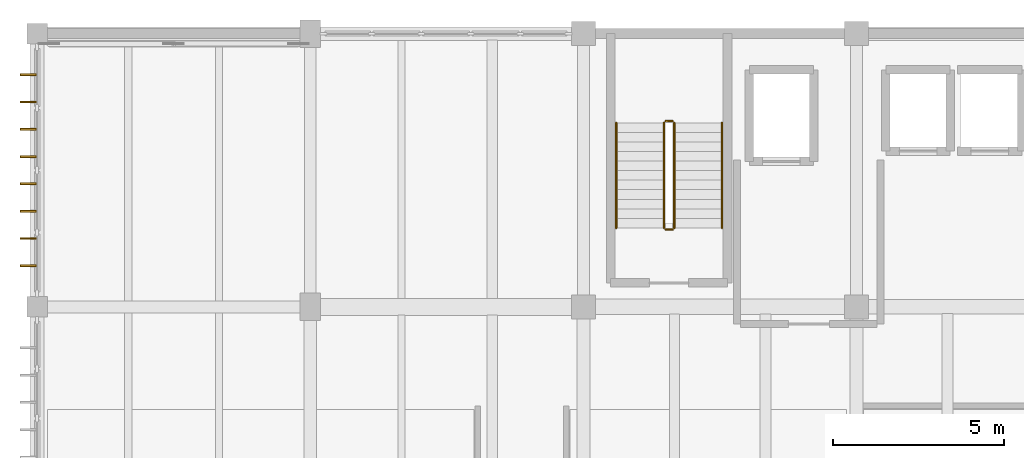
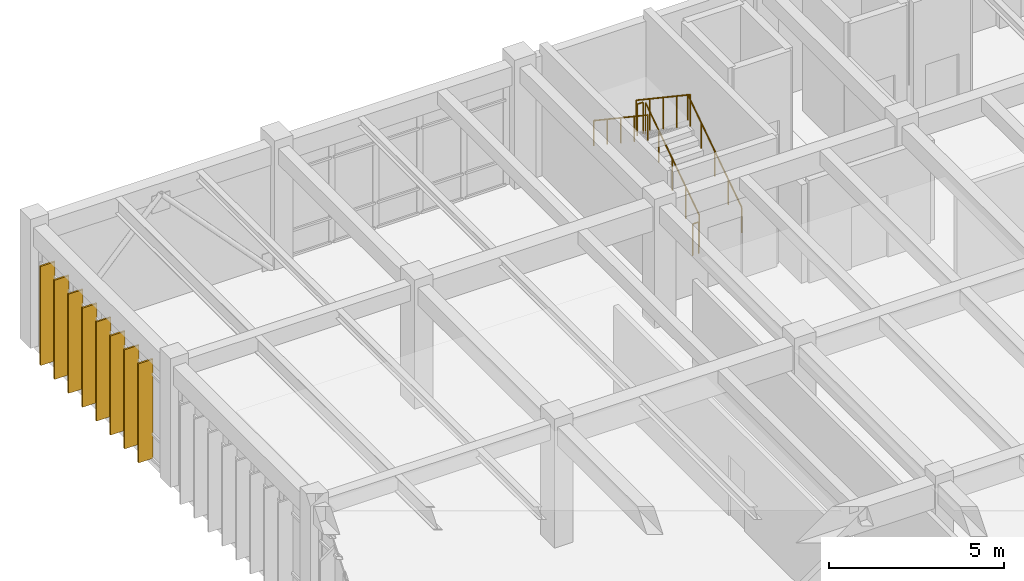
# One storey, part 67 of 72: 8 shading devices, 6 railings.
"""IFC4 building model written with IfcOpenShell, lengths in metres."""

from ifc_helpers import new_model, si_unit, direction, frame, origin, origin_2d, place, context, subcontext, project, spatial, rectangle, circle, extrude, material, layer, layer_set, type_object, element, save


model = new_model("IFC4")

# Units and contexts
model_context = context("Model", 3, precision=1e-05, world=origin(), true_north=direction((0.0, 1.0)))
body_context = subcontext(model_context, "Body", "Model", "MODEL_VIEW")
ifc_project = project(units=[si_unit("LENGTHUNIT", "METRE"), si_unit("AREAUNIT", "SQUARE_METRE"), si_unit("VOLUMEUNIT", "CUBIC_METRE"), si_unit("PLANEANGLEUNIT", "RADIAN"), si_unit("MASSUNIT", "GRAM", prefix="KILO")], contexts=[model_context])

# Site, building, storey
site_placement = place(None, origin())
site = spatial("IfcSite", under=ifc_project, at=site_placement, CompositionType="ELEMENT")
building_placement = place(site_placement, origin())
building = spatial("IfcBuilding", under=site, at=building_placement, Name="Tlaxcora Railside Police Headquarters", CompositionType="ELEMENT")
storey_placement = place(building_placement, frame((0.0, 0.0, 13.5)))
storey = spatial("IfcBuildingStorey", under=building, at=storey_placement, Name="L03", CompositionType="ELEMENT", Elevation=13.5)

# Shading devices
ifc_material_1 = material(Name="Anodised aluminium framing", Category="aluminium")
ifc_layer = layer(ifc_material_1, 0.054931640625, Name="Anodised aluminium framing")
ifc_layer_set = layer_set([ifc_layer], Name="Anodised aluminium framing")
shading_device_type = type_object("IfcShadingDeviceType", Name="Solar Control Fin SF-01", PredefinedType="JALOUSIE", material=ifc_layer_set)
for number, where, z_axis, x_axis, name in (
    (1, (4.93994140625, 91.60009765625, 0.0400390625), (0.0, 0.0, 1.0), (-1.0, 0.0, 0.0), "Vertical solar fin 347"),
    (2, (4.93994140625, 90.800048828125, 0.0400390625), (0.0, 0.0, 1.0), (-1.0, 0.0, 0.0), "Vertical solar fin 348"),
    (3, (4.93994140625, 90.0, 0.0400390625), (0.0, 0.0, 1.0), (-1.0, 0.0, 0.0), "Vertical solar fin 349"),
    (4, (4.93994140625, 89.199951171875, 0.0400390625), (0.0, 0.0, 1.0), (-1.0, 0.0, 0.0), "Vertical solar fin 350"),
    (5, (4.93994140625, 88.39990234375, 0.0400390625), (0.0, 0.0, 1.0), (-1.0, 0.0, 0.0), "Vertical solar fin 351"),
    (6, (4.93994140625, 87.60009765625, 0.0400390625), (0.0, 0.0, 1.0), (-1.0, 0.0, 0.0), "Vertical solar fin 352"),
    (7, (4.93994140625, 86.800048828125, 0.0400390625), (0.0, 0.0, 1.0), (-1.0, 0.0, 0.0), "Vertical solar fin 353"),
    (8, (4.93994140625, 86.0, 0.0400390625), (0.0, 0.0, 1.0), (-1.0, 0.0, 0.0), "Vertical solar fin 354"),
):
    element("IfcShadingDevice", number, at=place(storey_placement, frame(where, z_axis=z_axis, x_axis=x_axis)), inside=storey, type_object=shading_device_type, Name=name, PredefinedType="JALOUSIE", context=body_context, shape_type="SweptSolid", body=[
        extrude(rectangle(XDim=0.47998046875, YDim=0.054931640625, at=origin_2d()), origin(), (0.0, 0.0, 1.0), 3.4599609375),
    ])

# Railings
ifc_material_2 = material(Name="Steel ASTM A992 Grade 50", Category="steel")
railing_type_1 = type_object("IfcRailingType", Name="Stair Well Guard Balustrade GR-02", PredefinedType="BALUSTRADE", material=ifc_material_2)
railing_1_placement = place(storey_placement, frame((23.860107421875, 87.110107421875, 0.1875)))
element("IfcRailing", 9, at=railing_1_placement, inside=storey, type_object=railing_type_1, Name="L03 ST1 stair guard 1", PredefinedType="BALUSTRADE", context=body_context, shape_type="SweptSolid", body=[
    extrude(circle(Radius=0.02392578125, at=origin_2d()), frame((0.0, 0.0, 1.09619140625), z_axis=(0.0, 0.830893310487, 0.556431762742), x_axis=(-1.0, 0.0, 0.0)), (0.0, 0.0, 1.0), 3.70654296875),
    extrude(circle(Radius=0.02099609375, at=origin_2d()), origin(), (0.0, 0.0, 1.0), 1.072021484375),
    extrude(circle(Radius=0.02099609375, at=origin_2d()), frame((0.0, 0.77001953125, 0.515625)), (0.0, 0.0, 1.0), 1.072021484375),
    extrude(circle(Radius=0.02099609375, at=origin_2d()), frame((0.0, 1.5400390625, 1.03125)), (0.0, 0.0, 1.0), 1.072021484375),
    extrude(circle(Radius=0.02099609375, at=origin_2d()), frame((0.0, 2.309814453125, 1.546875)), (0.0, 0.0, 1.0), 1.072021484375),
    extrude(circle(Radius=0.02099609375, at=origin_2d()), frame((0.0, 3.079833984375, 2.0625)), (0.0, 0.0, 1.0), 1.072021484375),
])
railing_2_placement = place(storey_placement, frame((23.81005859375, 90.239990234375, 2.25)))
element("IfcRailing", 10, at=railing_2_placement, inside=storey, type_object=railing_type_1, Name="L03 ST1 stair guard 2", PredefinedType="BALUSTRADE", context=body_context, shape_type="SweptSolid", body=[
    extrude(circle(Radius=0.02392578125, at=origin_2d()), frame((0.0, 0.0, 1.09619140625), z_axis=(-1.0, 0.0, 0.0), x_axis=(0.0, -1.0, 0.0)), (0.0, 0.0, 1.0), 0.199951171875),
    extrude(circle(Radius=0.02099609375, at=origin_2d()), origin(), (0.0, 0.0, 1.0), 1.072021484375),
    extrude(circle(Radius=0.02099609375, at=origin_2d()), frame((-0.199951171875, 0.0, 0.0)), (0.0, 0.0, 1.0), 1.072021484375),
])
railing_3_placement = place(storey_placement, frame((23.56005859375, 90.18994140625, 2.4375)))
element("IfcRailing", 11, at=railing_3_placement, inside=storey, type_object=railing_type_1, Name="L03 ST1 stair guard 3", PredefinedType="BALUSTRADE", context=body_context, shape_type="SweptSolid", body=[
    extrude(circle(Radius=0.02392578125, at=origin_2d()), frame((0.0, 0.0, 1.09619140625), z_axis=(0.0, -0.830893310487, 0.556431762742), x_axis=(1.0, 0.0, 0.0)), (0.0, 0.0, 1.0), 3.70654296875),
    extrude(circle(Radius=0.02099609375, at=origin_2d()), origin(), (0.0, 0.0, 1.0), 1.072021484375),
    extrude(circle(Radius=0.02099609375, at=origin_2d()), frame((0.0, -0.77001953125, 0.515625)), (0.0, 0.0, 1.0), 1.072021484375),
    extrude(circle(Radius=0.02099609375, at=origin_2d()), frame((0.0, -1.5400390625, 1.03125)), (0.0, 0.0, 1.0), 1.072021484375),
    extrude(circle(Radius=0.02099609375, at=origin_2d()), frame((0.0, -2.309814453125, 1.546875)), (0.0, 0.0, 1.0), 1.072021484375),
    extrude(circle(Radius=0.02099609375, at=origin_2d()), frame((0.0, -3.079833984375, 2.0625)), (0.0, 0.0, 1.0), 1.072021484375),
])
railing_4_placement = place(storey_placement, frame((23.81005859375, 87.06005859375, 0.0)))
element("IfcRailing", 12, at=railing_4_placement, inside=storey, type_object=railing_type_1, Name="L03 ST1 stair guard 4", PredefinedType="BALUSTRADE", context=body_context, shape_type="SweptSolid", body=[
    extrude(circle(Radius=0.02392578125, at=origin_2d()), frame((0.0, 0.0, 1.09619140625), z_axis=(-1.0, 0.0, 0.0), x_axis=(0.0, -1.0, 0.0)), (0.0, 0.0, 1.0), 0.199951171875),
    extrude(circle(Radius=0.02099609375, at=origin_2d()), origin(), (0.0, 0.0, 1.0), 1.072021484375),
    extrude(circle(Radius=0.02099609375, at=origin_2d()), frame((-0.199951171875, 0.0, 0.0)), (0.0, 0.0, 1.0), 1.072021484375),
])
railing_type_2 = type_object("IfcRailingType", Name="Stair and Ramp Handrail HR-01", PredefinedType="HANDRAIL", material=ifc_material_2)
railing_5_placement = place(storey_placement, frame((25.260009765625, 87.110107421875, 0.1875)))
element("IfcRailing", 13, at=railing_5_placement, inside=storey, type_object=railing_type_2, Name="L03 ST1 stair handrail 1", PredefinedType="HANDRAIL", context=body_context, shape_type="SweptSolid", body=[
    extrude(circle(Radius=0.02392578125, at=origin_2d()), frame((0.0, 0.0, 0.8759765625), z_axis=(0.0, 0.830893310487, 0.556431762742), x_axis=(-1.0, 0.0, 0.0)), (0.0, 0.0, 1.0), 3.70654296875),
    extrude(circle(Radius=0.02099609375, at=origin_2d()), origin(), (0.0, 0.0, 1.0), 0.851806640625),
    extrude(circle(Radius=0.02099609375, at=origin_2d()), frame((0.0, 0.77001953125, 0.515625)), (0.0, 0.0, 1.0), 0.851806640625),
    extrude(circle(Radius=0.02099609375, at=origin_2d()), frame((0.0, 1.5400390625, 1.03125)), (0.0, 0.0, 1.0), 0.851806640625),
    extrude(circle(Radius=0.02099609375, at=origin_2d()), frame((0.0, 2.309814453125, 1.546875)), (0.0, 0.0, 1.0), 0.851806640625),
    extrude(circle(Radius=0.02099609375, at=origin_2d()), frame((0.0, 3.079833984375, 2.0625)), (0.0, 0.0, 1.0), 0.851806640625),
])
railing_6_placement = place(storey_placement, frame((22.159912109375, 90.18994140625, 2.4375)))
element("IfcRailing", 14, at=railing_6_placement, inside=storey, type_object=railing_type_2, Name="L03 ST1 stair handrail 2", PredefinedType="HANDRAIL", context=body_context, shape_type="SweptSolid", body=[
    extrude(circle(Radius=0.02392578125, at=origin_2d()), frame((0.0, 0.0, 0.8759765625), z_axis=(0.0, -0.830893310487, 0.556431762742), x_axis=(1.0, 0.0, 0.0)), (0.0, 0.0, 1.0), 3.70654296875),
    extrude(circle(Radius=0.02099609375, at=origin_2d()), origin(), (0.0, 0.0, 1.0), 0.851806640625),
    extrude(circle(Radius=0.02099609375, at=origin_2d()), frame((0.0, -0.77001953125, 0.515625)), (0.0, 0.0, 1.0), 0.851806640625),
    extrude(circle(Radius=0.02099609375, at=origin_2d()), frame((0.0, -1.5400390625, 1.03125)), (0.0, 0.0, 1.0), 0.851806640625),
    extrude(circle(Radius=0.02099609375, at=origin_2d()), frame((0.0, -2.309814453125, 1.546875)), (0.0, 0.0, 1.0), 0.851806640625),
    extrude(circle(Radius=0.02099609375, at=origin_2d()), frame((0.0, -3.079833984375, 2.0625)), (0.0, 0.0, 1.0), 0.851806640625),
])

save(model, "model.ifc")
